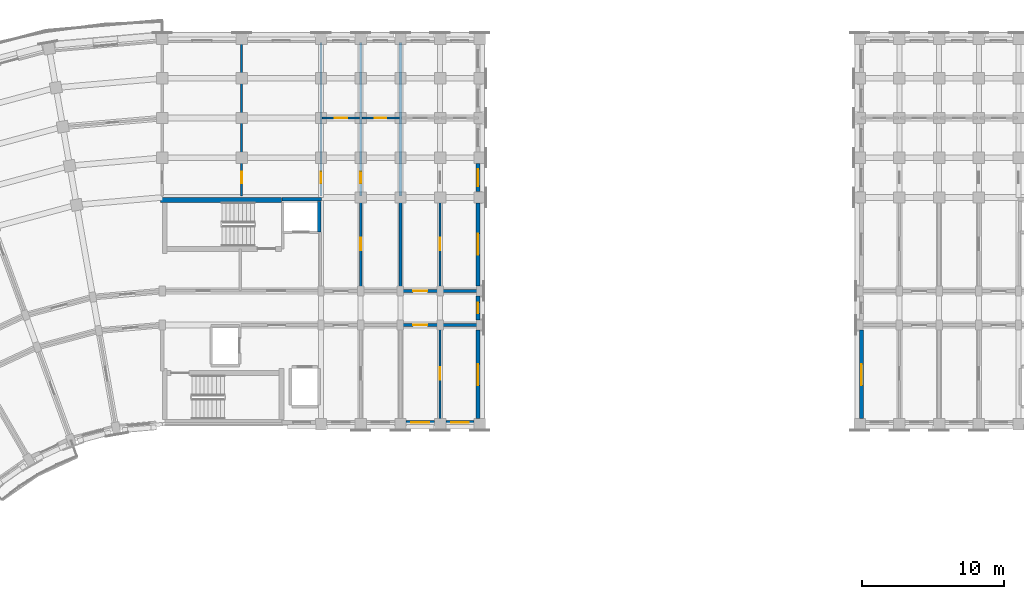
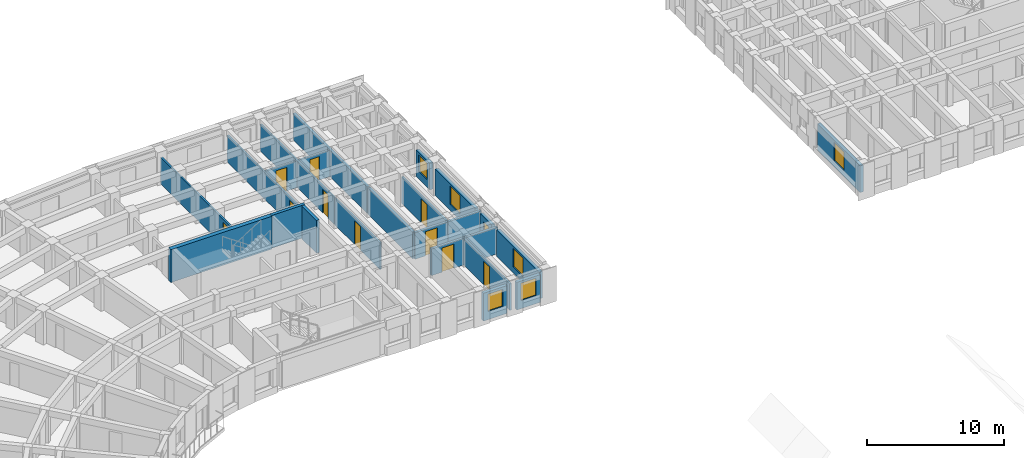
# One storey, part 27 of 54: 24 walls, 10 doors, 7 windows, 17 openings.
"""IFC4 building model written with IfcOpenShell, lengths in metres."""

import ifcopenshell
import ifcopenshell.guid

model = None  # the IFC model being written
_history = None  # IfcOwnerHistory: only IFC2X3 demands one
_inside = {}  # id of a spatial element -> (the spatial element, [elements in it])
_under = {}  # id of a project, library or spatial element -> (it, [spatial elements below it])
_declared = {}  # id of a project -> (the project, [libraries it declares])
_typed = {}  # id of a type object -> (the type object, [elements of that type])
_made_of = {}  # id of a material, layer set ... -> (it, [elements and type objects made of it])


def new_model(schema):
    """Start an empty IFC model of exactly this schema.

    Asked for "IFC4X3", IfcOpenShell would pick the latest addendum, in which some entities
    have other attributes; the version numbers below select the first issue.
    IFC2X3 requires an IfcOwnerHistory on every rooted entity: one is made here for all.
    """
    global model, _history
    if schema == "IFC4X3":
        model = ifcopenshell.file(schema_version=(4, 3, 0, 0))
    else:
        model = ifcopenshell.file(schema=schema)
    _inside.clear()
    _under.clear()
    _declared.clear()
    _typed.clear()
    _made_of.clear()
    _history = None
    if model.schema == "IFC2X3":
        org = make("IfcOrganization", Name="unknown")
        user = make(
            "IfcPersonAndOrganization",
            ThePerson=make("IfcPerson", FamilyName="unknown"),
            TheOrganization=org,
        )
        app = make(
            "IfcApplication",
            ApplicationDeveloper=org,
            Version="unknown",
            ApplicationFullName="unknown",
            ApplicationIdentifier="unknown",
        )
        _history = make(
            "IfcOwnerHistory",
            OwningUser=user,
            OwningApplication=app,
            ChangeAction="ADDED",
            CreationDate=0,
        )
    return model


def make(cls, **values):
    """One entity of the class cls with the attributes given. An attribute that is None is left unset."""
    return model.create_entity(
        cls, **{name: value for name, value in values.items() if value is not None}
    )


def rooted(cls, **values):
    """An entity with a GlobalId (a new one), such as an element, a storey or a relation."""
    return make(cls, GlobalId=ifcopenshell.guid.new(), OwnerHistory=_history, **values)


def si_unit(unit_type, name, prefix=None):
    """IfcSIUnit, for example si_unit("LENGTHUNIT", "METRE", prefix="MILLI")."""
    return make("IfcSIUnit", UnitType=unit_type, Prefix=prefix, Name=name)


def assignment(units):
    """IfcUnitAssignment: the units of a project."""
    return None if units is None else make("IfcUnitAssignment", Units=units)


def point(xyz):
    """IfcCartesianPoint."""
    return None if xyz is None else make("IfcCartesianPoint", Coordinates=xyz)


def direction(xyz):
    """IfcDirection."""
    return None if xyz is None else make("IfcDirection", DirectionRatios=xyz)


def frame(location, z_axis=None, x_axis=None):
    """IfcAxis2Placement3D, a coordinate frame: its origin and axes. An axis left out is left unset."""
    return make(
        "IfcAxis2Placement3D",
        Location=point(location),
        Axis=direction(z_axis),
        RefDirection=direction(x_axis),
    )


def frame_2d(location, x_axis=None):
    """IfcAxis2Placement2D, a coordinate frame in the plane: its origin and x axis."""
    return make(
        "IfcAxis2Placement2D", Location=point(location), RefDirection=direction(x_axis)
    )


def origin():
    """The frame at (0, 0, 0) with its axes left unset."""
    return frame((0.0, 0.0, 0.0))


def place(relative_to, where):
    """IfcLocalPlacement: puts the frame where relative to a parent placement (None: the world)."""
    return make(
        "IfcLocalPlacement", PlacementRelTo=relative_to, RelativePlacement=where
    )


def context(
    kind, dimensions, precision=None, world=None, true_north=None, identifier=None
):
    """IfcGeometricRepresentationContext, for example the 3D "Model" context."""
    return make(
        "IfcGeometricRepresentationContext",
        ContextIdentifier=identifier,
        ContextType=kind,
        CoordinateSpaceDimension=dimensions,
        Precision=precision,
        WorldCoordinateSystem=world,
        TrueNorth=true_north,
    )


def subcontext(parent, identifier, kind, view, scale=None):
    """IfcGeometricRepresentationSubContext, for example "Body" below "Model"."""
    return make(
        "IfcGeometricRepresentationSubContext",
        ContextIdentifier=identifier,
        ContextType=kind,
        ParentContext=parent,
        TargetScale=scale,
        TargetView=view,
    )


def project(units=None, contexts=None):
    """IfcProject with its units and contexts."""
    return rooted(
        "IfcProject",
        Name="project",
        RepresentationContexts=contexts,
        UnitsInContext=assignment(units),
    )


def spatial(cls, under=None, at=None, **own):
    """A site, building, storey or space (cls), placed at a placement, below another one or the project."""
    s = rooted(cls, ObjectPlacement=at, **own)
    if under is not None:
        _under.setdefault(under.id(), (under, []))[1].append(s)
    return s


def profile(cls, at=None, kind="AREA", **sizes):
    """A parametric profile (cls). Its sizes go by their IFC names, for example OverallWidth=200.0."""
    return make(cls, ProfileType=kind, Position=at, **sizes)


def rectangle(**sizes):
    """IfcRectangleProfileDef."""
    return profile("IfcRectangleProfileDef", **sizes)


def extrude(swept, where, along, depth):
    """IfcExtrudedAreaSolid: the profile swept, set in the frame where, extruded along a direction by depth."""
    return make(
        "IfcExtrudedAreaSolid",
        SweptArea=swept,
        Position=where,
        ExtrudedDirection=direction(along),
        Depth=depth,
    )


def shape(context_of_items, identifier, shape_type, items):
    """IfcShapeRepresentation: the items that make up one representation, for example the "Body"."""
    return make(
        "IfcShapeRepresentation",
        ContextOfItems=context_of_items,
        RepresentationIdentifier=identifier,
        RepresentationType=shape_type,
        Items=items,
    )


def material(Name=None, Category=None):
    """IfcMaterial."""
    return make("IfcMaterial", Name=Name, Category=Category)


def layer(
    of_material, thickness, ventilated=None, Name=None, Category=None, Priority=None
):
    """IfcMaterialLayer: one layer of a wall or slab, of a material (None: an air gap)."""
    return make(
        "IfcMaterialLayer",
        Material=of_material,
        LayerThickness=thickness,
        IsVentilated=ventilated,
        Name=Name,
        Category=Category,
        Priority=Priority,
    )


def layer_set(layers, Name=None):
    """IfcMaterialLayerSet."""
    return make("IfcMaterialLayerSet", MaterialLayers=layers, LayerSetName=Name)


def made_of(thing, what):
    """Note that an element or type object is made of a material, layer set ...; save() writes the relation."""
    if what is not None:
        _made_of.setdefault(what.id(), (what, []))[1].append(thing)
    return thing


def type_object(cls, material=None, **own):
    """A type object (cls), such as IfcWallType, which elements share."""
    return made_of(rooted(cls, **own), material)


def element(
    cls,
    number,
    at=None,
    inside=None,
    cuts=None,
    type_object=None,
    material=None,
    context=None,
    identifier="Body",
    shape_type=None,
    held_by="IfcProductDefinitionShape",
    body=None,
    shapes=None,
    **own,
):
    """One element of the class cls, such as IfcWall. Its Tag is "e" and its number.

    at: its placement. inside: the storey or other place that contains it. cuts: it is an
    opening in that element (IfcRelVoidsElement). A single representation is given by context,
    identifier, shape_type and body (its items); several are given by shapes. held_by: the class
    of the entity that holds the representations. save() writes the other relations.
    """
    e = rooted(cls, Tag="e%d" % number, ObjectPlacement=at, **own)
    if body is not None:
        shapes = [shape(context, identifier, shape_type, body)]
    if shapes is not None:
        e.Representation = make(held_by, Representations=shapes)
    if inside is not None:
        _inside.setdefault(inside.id(), (inside, []))[1].append(e)
    if cuts is not None:
        rooted(
            "IfcRelVoidsElement", RelatingBuildingElement=cuts, RelatedOpeningElement=e
        )
    if type_object is not None:
        _typed.setdefault(type_object.id(), (type_object, []))[1].append(e)
    return made_of(e, material)


def fill(opening, filler):
    """IfcRelFillsElement: the door or window that sits in an opening."""
    return rooted(
        "IfcRelFillsElement",
        RelatingOpeningElement=opening,
        RelatedBuildingElement=filler,
    )


def aggregate(whole, parts):
    """IfcRelAggregates: a whole, such as a stair, and the parts it consists of."""
    return rooted("IfcRelAggregates", RelatingObject=whole, RelatedObjects=parts)


def save(model, path):
    """Write the relations noted so far, then the file.

    IfcRelAggregates (storeys below a building ...), IfcRelContainedInSpatialStructure (elements
    in a storey), IfcRelDefinesByType, IfcRelAssociatesMaterial and IfcRelDeclares: one each for
    every whole, place, type object, material and project.
    """
    for whole, parts in _under.values():
        aggregate(whole, parts)
    for where, things in _inside.values():
        rooted(
            "IfcRelContainedInSpatialStructure",
            RelatedElements=things,
            RelatingStructure=where,
        )
    for kind, things in _typed.values():
        rooted("IfcRelDefinesByType", RelatedObjects=things, RelatingType=kind)
    for what, things in _made_of.values():
        rooted("IfcRelAssociatesMaterial", RelatedObjects=things, RelatingMaterial=what)
    for by, libraries in _declared.values():
        rooted("IfcRelDeclares", RelatingContext=by, RelatedDefinitions=libraries)
    model.write(path)


model = new_model("IFC4")

# Units and contexts
model_context = context("Model", 3, precision=1e-05, world=origin(), true_north=direction((0.0, 1.0)))
body_context = subcontext(model_context, "Body", "Model", "MODEL_VIEW")
ifc_project = project(units=[si_unit("LENGTHUNIT", "METRE"), si_unit("AREAUNIT", "SQUARE_METRE"), si_unit("VOLUMEUNIT", "CUBIC_METRE"), si_unit("PLANEANGLEUNIT", "RADIAN"), si_unit("MASSUNIT", "GRAM", prefix="KILO")], contexts=[model_context])

# Site, building, storey
site_placement = place(None, origin())
site = spatial("IfcSite", under=ifc_project, at=site_placement, CompositionType="ELEMENT")
building_placement = place(site_placement, origin())
building = spatial("IfcBuilding", under=site, at=building_placement, Name="Kiranvali Square Residences", CompositionType="ELEMENT")
storey_placement = place(building_placement, frame((0.0, 0.0, 11.85009765625)))
storey = spatial("IfcBuildingStorey", under=building, at=storey_placement, Name="L03", CompositionType="ELEMENT", Elevation=11.85009765625)

# Wall, opening, door
ifc_material_1 = material(Name="Autoclaved aerated concrete blockwork masonry", Category="masonry")
ifc_layer_1 = layer(ifc_material_1, 0.199951171875)
ifc_layer_set_1 = layer_set([ifc_layer_1], Name="Autoclaved aerated concrete blockwork masonry")
wall_type_1 = type_object("IfcWallType", Name="WL-COR-200", PredefinedType="STANDARD", material=ifc_layer_set_1)
wall_1_placement = place(storey_placement, frame((65.0, 113.60009765625, 0.0), z_axis=(0.0, 0.0, 1.0), x_axis=(1.0, 0.0, 0.0)))
wall_1 = element("IfcWall", 1, at=wall_1_placement, inside=storey, type_object=wall_type_1, Name="L03 architectural wall WL-L03-A-A1CI-2", PredefinedType="STANDARD", context=body_context, shape_type="SweptSolid", body=[
    extrude(rectangle(XDim=2.800048828125, YDim=0.199951171875, at=frame_2d((1.39990234375, 0.0))), origin(), (0.0, 0.0, 1.0), 2.371826171875),
])
opening_1_placement = place(wall_1_placement, frame((0.89990234375, 0.0, 0.0)))
opening_1 = element("IfcOpeningElement", 2, at=opening_1_placement, cuts=wall_1, Name="Opening FD-APT-60", PredefinedType="OPENING", context=body_context, shape_type="SweptSolid", body=[
    extrude(rectangle(XDim=1.0, YDim=2.14990234375, at=frame_2d((0.5, 1.074951171875))), frame((0.0, 0.10986328125, 0.0), z_axis=(0.0, -1.0, 0.0), x_axis=(1.0, 0.0, 0.0)), (0.0, 0.0, 1.0), 0.219970703125),
])
ifc_material_2 = material(Name="Fire-rated acoustic hardwood and mineral-core door assembly", Category="wood")
door_type_1 = type_object("IfcDoorType", Name="DR-APT-1000", OperationType="NOTDEFINED", PredefinedType="DOOR", material=ifc_material_2)
door_1_placement = place(opening_1_placement, frame((1.0, 0.0, 0.0), z_axis=(0.0, 0.0, 1.0), x_axis=(-1.0, 0.0, 0.0)))
door_1 = element("IfcDoor", 3, at=door_1_placement, inside=storey, type_object=door_type_1, Name="L03 door DR-L03-0230 (DR-APT-1000)", OperationType="SINGLE_SWING_RIGHT", OverallHeight=2.14990234375, OverallWidth=1.0, PredefinedType="DOOR", context=body_context, shape_type="SweptSolid", body=[
    extrude(rectangle(XDim=1.0, YDim=2.14990234375, at=frame_2d((0.5, 1.074951171875))), frame((0.0, 0.02490234375, 0.0), z_axis=(0.0, -1.0, 0.0), x_axis=(1.0, 0.0, 0.0)), (0.0, 0.0, 1.0), 0.050048828125),
])
fill(opening_1, door_1)

wall_2_placement = place(storey_placement, frame((65.0, 116.0, 0.0), z_axis=(0.0, 0.0, 1.0), x_axis=(1.0, 0.0, 0.0)))
wall_2 = element("IfcWall", 4, at=wall_2_placement, inside=storey, type_object=wall_type_1, Name="L03 architectural wall WL-L03-A-A1CO-2", PredefinedType="STANDARD", context=body_context, shape_type="SweptSolid", body=[
    extrude(rectangle(XDim=2.800048828125, YDim=0.199951171875, at=frame_2d((1.39990234375, 0.0))), origin(), (0.0, 0.0, 1.0), 2.371826171875),
])
opening_2_placement = place(wall_2_placement, frame((0.89990234375, 0.0, 0.0)))
opening_2 = element("IfcOpeningElement", 5, at=opening_2_placement, cuts=wall_2, Name="Opening FD-APT-60", PredefinedType="OPENING", context=body_context, shape_type="SweptSolid", body=[
    extrude(rectangle(XDim=1.0, YDim=2.14990234375, at=frame_2d((0.5, 1.074951171875))), frame((0.0, 0.10986328125, 0.0), z_axis=(0.0, -1.0, 0.0), x_axis=(1.0, 0.0, 0.0)), (0.0, 0.0, 1.0), 0.219970703125),
])
door_2_placement = place(opening_2_placement, frame((1.0, 0.0, 0.0), z_axis=(0.0, 0.0, 1.0), x_axis=(-1.0, 0.0, 0.0)))
door_2 = element("IfcDoor", 6, at=door_2_placement, inside=storey, type_object=door_type_1, Name="L03 door DR-L03-0232 (DR-APT-1000)", OperationType="SINGLE_SWING_RIGHT", OverallHeight=2.14990234375, OverallWidth=1.0, PredefinedType="DOOR", context=body_context, shape_type="SweptSolid", body=[
    extrude(rectangle(XDim=1.0, YDim=2.14990234375, at=frame_2d((0.5, 1.074951171875))), frame((0.0, 0.02490234375, 0.0), z_axis=(0.0, -1.0, 0.0), x_axis=(1.0, 0.0, 0.0)), (0.0, 0.0, 1.0), 0.050048828125),
])
fill(opening_2, door_2)

# Walls
for number, where, z_axis, x_axis, name in (
    (7, (67.800048828125, 113.60009765625, 0.0), (0.0, 0.0, 1.0), (1.0, 0.0, 0.0), "L03 architectural wall WL-L03-A-A1CI-3"),
    (8, (67.800048828125, 116.0, 0.0), (0.0, 0.0, 1.0), (1.0, 0.0, 0.0), "L03 architectural wall WL-L03-A-A1CO-3"),
):
    element("IfcWall", number, at=place(storey_placement, frame(where, z_axis=z_axis, x_axis=x_axis)), inside=storey, type_object=wall_type_1, Name=name, PredefinedType="STANDARD", context=body_context, shape_type="SweptSolid", body=[
        extrude(rectangle(XDim=2.800048828125, YDim=0.199951171875, at=frame_2d((1.39990234375, 0.0))), origin(), (0.0, 0.0, 1.0), 2.371826171875),
    ])
ifc_layer_2 = layer(ifc_material_1, 0.219970703125)
ifc_layer_set_2 = layer_set([ifc_layer_2], Name="Autoclaved aerated concrete blockwork masonry")
wall_type_2 = type_object("IfcWallType", Name="WL-DEM-220", PredefinedType="STANDARD", material=ifc_layer_set_2)
wall_3_placement = place(storey_placement, frame((65.0, 116.050048828125, 0.0), z_axis=(0.0, 0.0, 1.0), x_axis=(0.0, 1.0, 0.0)))
element("IfcWall", 9, at=wall_3_placement, inside=storey, type_object=wall_type_2, Name="L03 architectural wall WL-L03-A-A1TO1-2", PredefinedType="STANDARD", context=body_context, shape_type="SweptSolid", body=[
    extrude(rectangle(XDim=6.530029296875, YDim=0.219970703125, at=frame_2d((3.26513671875, 0.0))), origin(), (0.0, 0.0, 1.0), 2.371826171875),
])
wall_4_placement = place(storey_placement, frame((65.0, 122.699951171875, 0.0), z_axis=(0.0, 0.0, 1.0), x_axis=(0.0, 1.0, 0.0)))
element("IfcWall", 10, at=wall_4_placement, inside=storey, type_object=wall_type_2, Name="L03 architectural wall WL-L03-A-A1TO2-2", PredefinedType="STANDARD", context=body_context, shape_type="SweptSolid", body=[
    extrude(rectangle(XDim=10.820068359375, YDim=0.219970703125, at=frame_2d((5.41015625, 0.0))), origin(), (0.0, 0.0, 1.0), 2.371826171875),
])

# Wall, opening, window
ifc_material_3 = material(Name="Breathable lime-rendered clay brick masonry", Category="masonry")
ifc_layer_3 = layer(ifc_material_3, 0.27490234375)
ifc_layer_set_3 = layer_set([ifc_layer_3], Name="Breathable lime-rendered clay brick masonry")
wall_type_3 = type_object("IfcWallType", Name="WL-EXT-275", PredefinedType="STANDARD", material=ifc_layer_set_3)
wall_5_placement = place(storey_placement, frame((65.403564453125, 106.72509765625, 0.0), z_axis=(0.0, 0.0, 1.0), x_axis=(1.0, 0.0, 0.0)))
wall_5 = element("IfcWall", 11, at=wall_5_placement, inside=storey, type_object=wall_type_3, Name="L03 exterior wall A-L03-A1I-2", PredefinedType="STANDARD", context=body_context, shape_type="SweptSolid", body=[
    extrude(rectangle(XDim=1.992919921875, YDim=0.27490234375, at=frame_2d((0.99658203125, 0.0))), origin(), (0.0, 0.0, 1.0), 2.471923828125),
])
opening_3_placement = place(wall_5_placement, frame((0.37158203125, 0.0, 0.721923828125)))
opening_3 = element("IfcOpeningElement", 12, at=opening_3_placement, cuts=wall_5, Name="Opening W-19", PredefinedType="OPENING", context=body_context, shape_type="SweptSolid", body=[
    extrude(rectangle(XDim=1.25, YDim=1.550048828125, at=frame_2d((0.625, 0.77490234375))), frame((0.0, 0.1474609375, 0.0), z_axis=(0.0, -1.0, 0.0), x_axis=(1.0, 0.0, 0.0)), (0.0, 0.0, 1.0), 0.294921875),
])
ifc_material_4 = material(Name="Solar-control low-e double glazing", Category="glass")
window_type_1 = type_object("IfcWindowType", Name="WIN-GDN-1250x1550", PartitioningType="SINGLE_PANEL", PredefinedType="WINDOW", material=ifc_material_4)
window_1_placement = place(opening_3_placement, origin())
window_1 = element("IfcWindow", 13, at=window_1_placement, inside=storey, type_object=window_type_1, Name="L03 recessed window A-L03-A1I-2", OverallHeight=1.550048828125, OverallWidth=1.25, PartitioningType="SINGLE_PANEL", PredefinedType="WINDOW", context=body_context, shape_type="SweptSolid", body=[
    extrude(rectangle(XDim=1.25, YDim=1.550048828125, at=frame_2d((0.625, 0.77490234375))), frame((0.0, 0.030029296875, 0.0), z_axis=(0.0, -1.0, 0.0), x_axis=(1.0, 0.0, 0.0)), (0.0, 0.0, 1.0), 0.06005859375),
])
fill(opening_3, window_1)

wall_6_placement = place(storey_placement, frame((68.20361328125, 106.72509765625, 0.0), z_axis=(0.0, 0.0, 1.0), x_axis=(1.0, 0.0, 0.0)))
wall_6 = element("IfcWall", 14, at=wall_6_placement, inside=storey, type_object=wall_type_3, Name="L03 exterior wall A-L03-A1I-3", PredefinedType="STANDARD", context=body_context, shape_type="SweptSolid", body=[
    extrude(rectangle(XDim=1.992919921875, YDim=0.27490234375, at=frame_2d((0.99658203125, 0.0))), origin(), (0.0, 0.0, 1.0), 2.471923828125),
])
opening_4_placement = place(wall_6_placement, frame((0.37158203125, 0.0, 0.721923828125)))
opening_4 = element("IfcOpeningElement", 15, at=opening_4_placement, cuts=wall_6, Name="Opening W-19", PredefinedType="OPENING", context=body_context, shape_type="SweptSolid", body=[
    extrude(rectangle(XDim=1.25, YDim=1.550048828125, at=frame_2d((0.625, 0.77490234375))), frame((0.0, 0.1474609375, 0.0), z_axis=(0.0, -1.0, 0.0), x_axis=(1.0, 0.0, 0.0)), (0.0, 0.0, 1.0), 0.294921875),
])
window_2_placement = place(opening_4_placement, origin())
window_2 = element("IfcWindow", 16, at=window_2_placement, inside=storey, type_object=window_type_1, Name="L03 recessed window A-L03-A1I-3", OverallHeight=1.550048828125, OverallWidth=1.25, PartitioningType="SINGLE_PANEL", PredefinedType="WINDOW", context=body_context, shape_type="SweptSolid", body=[
    extrude(rectangle(XDim=1.25, YDim=1.550048828125, at=frame_2d((0.625, 0.77490234375))), frame((0.0, 0.030029296875, 0.0), z_axis=(0.0, -1.0, 0.0), x_axis=(1.0, 0.0, 0.0)), (0.0, 0.0, 1.0), 0.06005859375),
])
fill(opening_4, window_2)

wall_7_placement = place(storey_placement, frame((70.47509765625, 107.00341796875, 0.0), z_axis=(0.0, 0.0, 1.0), x_axis=(0.0, 1.0, 0.0)))
wall_7 = element("IfcWall", 17, at=wall_7_placement, inside=storey, type_object=wall_type_3, Name="L03 exterior wall A-L03-A1END-0", PredefinedType="STANDARD", context=body_context, shape_type="SweptSolid", body=[
    extrude(rectangle(XDim=6.2431640625, YDim=0.27490234375, at=frame_2d((3.12158203125, 0.0))), origin(), (0.0, 0.0, 1.0), 2.371826171875),
])
opening_5_placement = place(wall_7_placement, frame((2.346435546875, 0.0, 0.52197265625)))
opening_5 = element("IfcOpeningElement", 18, at=opening_5_placement, cuts=wall_7, Name="Opening W-05", PredefinedType="OPENING", context=body_context, shape_type="SweptSolid", body=[
    extrude(rectangle(XDim=1.5, YDim=1.64990234375, at=frame_2d((0.75, 0.824951171875))), frame((0.0, 0.1474609375, 0.0), z_axis=(0.0, -1.0, 0.0), x_axis=(1.0, 0.0, 0.0)), (0.0, 0.0, 1.0), 0.294921875),
])
window_type_2 = type_object("IfcWindowType", Name="WIN-RES-1500x1650", PartitioningType="DOUBLE_PANEL_VERTICAL", PredefinedType="WINDOW", material=ifc_material_4)
window_3_placement = place(opening_5_placement, origin())
window_3 = element("IfcWindow", 19, at=window_3_placement, inside=storey, type_object=window_type_2, Name="L03 recessed window A-L03-A1END-0", OverallHeight=1.64990234375, OverallWidth=1.5, PartitioningType="DOUBLE_PANEL_VERTICAL", PredefinedType="WINDOW", context=body_context, shape_type="SweptSolid", body=[
    extrude(rectangle(XDim=1.5, YDim=1.64990234375, at=frame_2d((0.75, 0.824951171875))), frame((0.0, 0.030029296875, 0.0), z_axis=(0.0, -1.0, 0.0), x_axis=(1.0, 0.0, 0.0)), (0.0, 0.0, 1.0), 0.06005859375),
])
fill(opening_5, window_3)

wall_8_placement = place(storey_placement, frame((70.47509765625, 113.95361328125, 0.0), z_axis=(0.0, 0.0, 1.0), x_axis=(0.0, 1.0, 0.0)))
wall_8 = element("IfcWall", 20, at=wall_8_placement, inside=storey, type_object=wall_type_3, Name="L03 exterior wall A-L03-A1END-1", PredefinedType="STANDARD", context=body_context, shape_type="SweptSolid", body=[
    extrude(rectangle(XDim=1.69287109375, YDim=0.27490234375, at=frame_2d((0.846435546875, 0.0))), origin(), (0.0, 0.0, 1.0), 2.371826171875),
])
opening_6_placement = place(wall_8_placement, frame((0.471435546875, 0.0, 0.8798828125)))
opening_6 = element("IfcOpeningElement", 21, at=opening_6_placement, cuts=wall_8, Name="Opening W-07", PredefinedType="OPENING", context=body_context, shape_type="SweptSolid", body=[
    extrude(rectangle(XDim=0.75, YDim=1.050048828125, at=frame_2d((0.375, 0.52490234375))), frame((0.0, 0.1474609375, 0.0), z_axis=(0.0, -1.0, 0.0), x_axis=(1.0, 0.0, 0.0)), (0.0, 0.0, 1.0), 0.294921875),
])
window_type_3 = type_object("IfcWindowType", Name="WIN-WET-750x1050", PartitioningType="SINGLE_PANEL", PredefinedType="WINDOW", material=ifc_material_4)
window_4_placement = place(opening_6_placement, origin())
window_4 = element("IfcWindow", 22, at=window_4_placement, inside=storey, type_object=window_type_3, Name="L03 recessed window A-L03-A1END-1", OverallHeight=1.050048828125, OverallWidth=0.75, PartitioningType="SINGLE_PANEL", PredefinedType="WINDOW", context=body_context, shape_type="SweptSolid", body=[
    extrude(rectangle(XDim=0.75, YDim=1.050048828125, at=frame_2d((0.375, 0.52490234375))), frame((0.0, 0.030029296875, 0.0), z_axis=(0.0, -1.0, 0.0), x_axis=(1.0, 0.0, 0.0)), (0.0, 0.0, 1.0), 0.06005859375),
])
fill(opening_6, window_4)

wall_9_placement = place(storey_placement, frame((70.47509765625, 116.353515625, 0.0), z_axis=(0.0, 0.0, 1.0), x_axis=(0.0, 1.0, 0.0)))
wall_9 = element("IfcWall", 23, at=wall_9_placement, inside=storey, type_object=wall_type_3, Name="L03 exterior wall A-L03-A1END-2", PredefinedType="STANDARD", context=body_context, shape_type="SweptSolid", body=[
    extrude(rectangle(XDim=5.843017578125, YDim=0.27490234375, at=frame_2d((2.92138671875, 0.0))), origin(), (0.0, 0.0, 1.0), 2.371826171875),
])
opening_7_placement = place(wall_9_placement, frame((2.196533203125, 0.0, 0.52197265625)))
opening_7 = element("IfcOpeningElement", 24, at=opening_7_placement, cuts=wall_9, Name="Opening W-05", PredefinedType="OPENING", context=body_context, shape_type="SweptSolid", body=[
    extrude(rectangle(XDim=1.5, YDim=1.64990234375, at=frame_2d((0.75, 0.824951171875))), frame((0.0, 0.1474609375, 0.0), z_axis=(0.0, -1.0, 0.0), x_axis=(1.0, 0.0, 0.0)), (0.0, 0.0, 1.0), 0.294921875),
])
window_5_placement = place(opening_7_placement, origin())
window_5 = element("IfcWindow", 25, at=window_5_placement, inside=storey, type_object=window_type_2, Name="L03 recessed window A-L03-A1END-2", OverallHeight=1.64990234375, OverallWidth=1.5, PartitioningType="DOUBLE_PANEL_VERTICAL", PredefinedType="WINDOW", context=body_context, shape_type="SweptSolid", body=[
    extrude(rectangle(XDim=1.5, YDim=1.64990234375, at=frame_2d((0.75, 0.824951171875))), frame((0.0, 0.030029296875, 0.0), z_axis=(0.0, -1.0, 0.0), x_axis=(1.0, 0.0, 0.0)), (0.0, 0.0, 1.0), 0.06005859375),
])
fill(opening_7, window_5)

wall_10_placement = place(storey_placement, frame((70.47509765625, 123.00341796875, 0.0), z_axis=(0.0, 0.0, 1.0), x_axis=(0.0, 1.0, 0.0)))
wall_10 = element("IfcWall", 26, at=wall_10_placement, inside=storey, type_object=wall_type_3, Name="L03 exterior wall A-L03-A1END-3", PredefinedType="STANDARD", context=body_context, shape_type="SweptSolid", body=[
    extrude(rectangle(XDim=1.9931640625, YDim=0.27490234375, at=frame_2d((0.99658203125, 0.0))), origin(), (0.0, 0.0, 1.0), 2.371826171875),
])
opening_8_placement = place(wall_10_placement, frame((0.396484375, 0.0, 0.672119140625)))
opening_8 = element("IfcOpeningElement", 27, at=opening_8_placement, cuts=wall_10, Name="Opening W-06", PredefinedType="OPENING", context=body_context, shape_type="SweptSolid", body=[
    extrude(rectangle(XDim=1.199951171875, YDim=1.5, at=frame_2d((0.60009765625, 0.75))), frame((0.0, 0.1474609375, 0.0), z_axis=(0.0, -1.0, 0.0), x_axis=(1.0, 0.0, 0.0)), (0.0, 0.0, 1.0), 0.294921875),
])
window_type_4 = type_object("IfcWindowType", Name="WIN-RES-1200x1500", PartitioningType="SINGLE_PANEL", PredefinedType="WINDOW", material=ifc_material_4)
window_6_placement = place(opening_8_placement, origin())
window_6 = element("IfcWindow", 28, at=window_6_placement, inside=storey, type_object=window_type_4, Name="L03 recessed window A-L03-A1END-3", OverallHeight=1.5, OverallWidth=1.199951171875, PartitioningType="SINGLE_PANEL", PredefinedType="WINDOW", context=body_context, shape_type="SweptSolid", body=[
    extrude(rectangle(XDim=1.199951171875, YDim=1.5, at=frame_2d((0.60009765625, 0.75))), frame((0.0, 0.030029296875, 0.0), z_axis=(0.0, -1.0, 0.0), x_axis=(1.0, 0.0, 0.0)), (0.0, 0.0, 1.0), 0.06005859375),
])
fill(opening_8, window_6)

wall_11_placement = place(storey_placement, frame((97.52490234375, 107.00341796875, 0.0), z_axis=(0.0, 0.0, 1.0), x_axis=(0.0, 1.0, 0.0)))
wall_11 = element("IfcWall", 29, at=wall_11_placement, inside=storey, type_object=wall_type_3, Name="L03 exterior wall B-L03-A1END-0", PredefinedType="STANDARD", context=body_context, shape_type="SweptSolid", body=[
    extrude(rectangle(XDim=6.2431640625, YDim=0.27490234375, at=frame_2d((3.12158203125, 0.0))), origin(), (0.0, 0.0, 1.0), 2.371826171875),
])
opening_9_placement = place(wall_11_placement, frame((2.346435546875, 0.0, 0.52197265625)))
opening_9 = element("IfcOpeningElement", 30, at=opening_9_placement, cuts=wall_11, Name="Opening W-05", PredefinedType="OPENING", context=body_context, shape_type="SweptSolid", body=[
    extrude(rectangle(XDim=1.5, YDim=1.64990234375, at=frame_2d((0.75, 0.824951171875))), frame((0.0, 0.1474609375, 0.0), z_axis=(0.0, -1.0, 0.0), x_axis=(1.0, 0.0, 0.0)), (0.0, 0.0, 1.0), 0.294921875),
])
window_7_placement = place(opening_9_placement, origin())
window_7 = element("IfcWindow", 31, at=window_7_placement, inside=storey, type_object=window_type_2, Name="L03 recessed window B-L03-A1END-0", OverallHeight=1.64990234375, OverallWidth=1.5, PartitioningType="DOUBLE_PANEL_VERTICAL", PredefinedType="WINDOW", context=body_context, shape_type="SweptSolid", body=[
    extrude(rectangle(XDim=1.5, YDim=1.64990234375, at=frame_2d((0.75, 0.824951171875))), frame((0.0, 0.030029296875, 0.0), z_axis=(0.0, -1.0, 0.0), x_axis=(1.0, 0.0, 0.0)), (0.0, 0.0, 1.0), 0.06005859375),
])
fill(opening_9, window_7)

# Wall, opening, door
ifc_material_5 = material(Name="Acoustic gypsum board drylined partition", Category="gypsum")
ifc_layer_4 = layer(ifc_material_5, 0.14990234375)
ifc_layer_set_4 = layer_set([ifc_layer_4], Name="Acoustic gypsum board drylined partition")
wall_type_4 = type_object("IfcWallType", Name="WL-PRT-150", PredefinedType="PARTITIONING", material=ifc_layer_set_4)
wall_12_placement = place(storey_placement, frame((53.800048828125, 122.699951171875, 0.0), z_axis=(0.0, 0.0, 1.0), x_axis=(0.0, 1.0, 0.0)))
wall_12 = element("IfcWall", 32, at=wall_12_placement, inside=storey, type_object=wall_type_4, Name="L03 architectural wall WL-L03-A-CF-MID", PredefinedType="PARTITIONING", context=body_context, shape_type="SweptSolid", body=[
    extrude(rectangle(XDim=10.820068359375, YDim=0.14990234375, at=frame_2d((5.41015625, 0.0))), origin(), (0.0, 0.0, 1.0), 2.371826171875),
])
opening_10_placement = place(wall_12_placement, frame((0.8994140625, 0.0, 0.0)))
opening_10 = element("IfcOpeningElement", 33, at=opening_10_placement, cuts=wall_12, Name="Opening ID-WET", PredefinedType="OPENING", context=body_context, shape_type="SweptSolid", body=[
    extrude(rectangle(XDim=0.800048828125, YDim=2.10009765625, at=frame_2d((0.39990234375, 1.050048828125))), frame((0.0, 0.0849609375, 0.0), z_axis=(0.0, -1.0, 0.0), x_axis=(1.0, 0.0, 0.0)), (0.0, 0.0, 1.0), 0.169921875),
])
ifc_material_6 = material(Name="Solid seasoned teak hardwood joinery", Category="wood")
door_type_2 = type_object("IfcDoorType", Name="DR-WET-800", OperationType="NOTDEFINED", PredefinedType="DOOR", material=ifc_material_6)
door_3_placement = place(opening_10_placement, origin())
door_3 = element("IfcDoor", 34, at=door_3_placement, inside=storey, type_object=door_type_2, Name="L03 door DR-L03-0225 (DR-WET-800)", OperationType="SINGLE_SWING_LEFT", OverallHeight=2.10009765625, OverallWidth=0.800048828125, PredefinedType="DOOR", context=body_context, shape_type="SweptSolid", body=[
    extrude(rectangle(XDim=0.800048828125, YDim=2.10009765625, at=frame_2d((0.39990234375, 1.050048828125))), frame((0.0, 0.02490234375, 0.0), z_axis=(0.0, -1.0, 0.0), x_axis=(1.0, 0.0, 0.0)), (0.0, 0.0, 1.0), 0.050048828125),
])
fill(opening_10, door_3)

wall_13_placement = place(storey_placement, frame((59.39990234375, 122.699951171875, 0.0), z_axis=(0.0, 0.0, 1.0), x_axis=(0.0, 1.0, 0.0)))
wall_13 = element("IfcWall", 35, at=wall_13_placement, inside=storey, type_object=wall_type_4, Name="L03 architectural wall WL-L03-A-A1TO2-0", PredefinedType="PARTITIONING", context=body_context, shape_type="SweptSolid", body=[
    extrude(rectangle(XDim=10.820068359375, YDim=0.14990234375, at=frame_2d((5.41015625, 0.0))), origin(), (0.0, 0.0, 1.0), 2.371826171875),
])
opening_11_placement = place(wall_13_placement, frame((0.8994140625, 0.0, 0.0)))
opening_11 = element("IfcOpeningElement", 36, at=opening_11_placement, cuts=wall_13, Name="Opening ID-WET", PredefinedType="OPENING", context=body_context, shape_type="SweptSolid", body=[
    extrude(rectangle(XDim=0.800048828125, YDim=2.10009765625, at=frame_2d((0.39990234375, 1.050048828125))), frame((0.0, 0.0849609375, 0.0), z_axis=(0.0, -1.0, 0.0), x_axis=(1.0, 0.0, 0.0)), (0.0, 0.0, 1.0), 0.169921875),
])
door_4_placement = place(opening_11_placement, frame((0.800048828125, 0.0, 0.0), z_axis=(0.0, 0.0, 1.0), x_axis=(-1.0, 0.0, 0.0)))
door_4 = element("IfcDoor", 37, at=door_4_placement, inside=storey, type_object=door_type_2, Name="L03 door DR-L03-0234 (DR-WET-800)", OperationType="SINGLE_SWING_RIGHT", OverallHeight=2.10009765625, OverallWidth=0.800048828125, PredefinedType="DOOR", context=body_context, shape_type="SweptSolid", body=[
    extrude(rectangle(XDim=0.800048828125, YDim=2.10009765625, at=frame_2d((0.39990234375, 1.050048828125))), frame((0.0, 0.02490234375, 0.0), z_axis=(0.0, -1.0, 0.0), x_axis=(1.0, 0.0, 0.0)), (0.0, 0.0, 1.0), 0.050048828125),
])
fill(opening_11, door_4)

wall_14_placement = place(storey_placement, frame((62.199951171875, 116.050048828125, 0.0), z_axis=(0.0, 0.0, 1.0), x_axis=(0.0, 1.0, 0.0)))
wall_14 = element("IfcWall", 38, at=wall_14_placement, inside=storey, type_object=wall_type_4, Name="L03 architectural wall WL-L03-A-A1TO1-1", PredefinedType="PARTITIONING", context=body_context, shape_type="SweptSolid", body=[
    extrude(rectangle(XDim=6.530029296875, YDim=0.14990234375, at=frame_2d((3.26513671875, 0.0))), origin(), (0.0, 0.0, 1.0), 2.371826171875),
])
opening_12_placement = place(wall_14_placement, frame((2.81494140625, 0.0, 0.0)))
opening_12 = element("IfcOpeningElement", 39, at=opening_12_placement, cuts=wall_14, Name="Opening ID-1", PredefinedType="OPENING", context=body_context, shape_type="SweptSolid", body=[
    extrude(rectangle(XDim=0.89990234375, YDim=2.10009765625, at=frame_2d((0.449951171875, 1.050048828125))), frame((0.0, 0.0849609375, 0.0), z_axis=(0.0, -1.0, 0.0), x_axis=(1.0, 0.0, 0.0)), (0.0, 0.0, 1.0), 0.169921875),
])
door_type_3 = type_object("IfcDoorType", Name="DR-INT-900", OperationType="NOTDEFINED", PredefinedType="DOOR", material=ifc_material_6)
door_5_placement = place(opening_12_placement, frame((0.89990234375, 0.0, 0.0), z_axis=(0.0, 0.0, 1.0), x_axis=(-1.0, 0.0, 0.0)))
door_5 = element("IfcDoor", 40, at=door_5_placement, inside=storey, type_object=door_type_3, Name="L03 door DR-L03-0236 (DR-INT-900)", OperationType="SINGLE_SWING_RIGHT", OverallHeight=2.10009765625, OverallWidth=0.89990234375, PredefinedType="DOOR", context=body_context, shape_type="SweptSolid", body=[
    extrude(rectangle(XDim=0.89990234375, YDim=2.10009765625, at=frame_2d((0.449951171875, 1.050048828125))), frame((0.0, 0.02490234375, 0.0), z_axis=(0.0, -1.0, 0.0), x_axis=(1.0, 0.0, 0.0)), (0.0, 0.0, 1.0), 0.050048828125),
])
fill(opening_12, door_5)

wall_15_placement = place(storey_placement, frame((62.199951171875, 122.699951171875, 0.0), z_axis=(0.0, 0.0, 1.0), x_axis=(0.0, 1.0, 0.0)))
wall_15 = element("IfcWall", 41, at=wall_15_placement, inside=storey, type_object=wall_type_4, Name="L03 architectural wall WL-L03-A-A1TO2-1", PredefinedType="PARTITIONING", context=body_context, shape_type="SweptSolid", body=[
    extrude(rectangle(XDim=10.820068359375, YDim=0.14990234375, at=frame_2d((5.41015625, 0.0))), origin(), (0.0, 0.0, 1.0), 2.371826171875),
])
opening_13_placement = place(wall_15_placement, frame((0.8994140625, 0.0, 0.0)))
opening_13 = element("IfcOpeningElement", 42, at=opening_13_placement, cuts=wall_15, Name="Opening ID-WET", PredefinedType="OPENING", context=body_context, shape_type="SweptSolid", body=[
    extrude(rectangle(XDim=0.800048828125, YDim=2.10009765625, at=frame_2d((0.39990234375, 1.050048828125))), frame((0.0, 0.0849609375, 0.0), z_axis=(0.0, -1.0, 0.0), x_axis=(1.0, 0.0, 0.0)), (0.0, 0.0, 1.0), 0.169921875),
])
door_6_placement = place(opening_13_placement, origin())
door_6 = element("IfcDoor", 43, at=door_6_placement, inside=storey, type_object=door_type_2, Name="L03 door DR-L03-0237 (DR-WET-800)", OperationType="SINGLE_SWING_LEFT", OverallHeight=2.10009765625, OverallWidth=0.800048828125, PredefinedType="DOOR", context=body_context, shape_type="SweptSolid", body=[
    extrude(rectangle(XDim=0.800048828125, YDim=2.10009765625, at=frame_2d((0.39990234375, 1.050048828125))), frame((0.0, 0.02490234375, 0.0), z_axis=(0.0, -1.0, 0.0), x_axis=(1.0, 0.0, 0.0)), (0.0, 0.0, 1.0), 0.050048828125),
])
fill(opening_13, door_6)

wall_16_placement = place(storey_placement, frame((67.800048828125, 106.800048828125, 0.0), z_axis=(0.0, 0.0, 1.0), x_axis=(0.0, 1.0, 0.0)))
wall_16 = element("IfcWall", 44, at=wall_16_placement, inside=storey, type_object=wall_type_4, Name="L03 architectural wall WL-L03-A-A1TI-3", PredefinedType="PARTITIONING", context=body_context, shape_type="SweptSolid", body=[
    extrude(rectangle(XDim=6.75, YDim=0.14990234375, at=frame_2d((3.375, 0.0))), origin(), (0.0, 0.0, 1.0), 2.371826171875),
])
opening_14_placement = place(wall_16_placement, frame((2.925048828125, 0.0, 0.0)))
opening_14 = element("IfcOpeningElement", 45, at=opening_14_placement, cuts=wall_16, Name="Opening ID-1", PredefinedType="OPENING", context=body_context, shape_type="SweptSolid", body=[
    extrude(rectangle(XDim=0.89990234375, YDim=2.10009765625, at=frame_2d((0.449951171875, 1.050048828125))), frame((0.0, 0.0849609375, 0.0), z_axis=(0.0, -1.0, 0.0), x_axis=(1.0, 0.0, 0.0)), (0.0, 0.0, 1.0), 0.169921875),
])
door_7_placement = place(opening_14_placement, frame((0.89990234375, 0.0, 0.0), z_axis=(0.0, 0.0, 1.0), x_axis=(-1.0, 0.0, 0.0)))
door_7 = element("IfcDoor", 46, at=door_7_placement, inside=storey, type_object=door_type_3, Name="L03 door DR-L03-0238 (DR-INT-900)", OperationType="SINGLE_SWING_RIGHT", OverallHeight=2.10009765625, OverallWidth=0.89990234375, PredefinedType="DOOR", context=body_context, shape_type="SweptSolid", body=[
    extrude(rectangle(XDim=0.89990234375, YDim=2.10009765625, at=frame_2d((0.449951171875, 1.050048828125))), frame((0.0, 0.02490234375, 0.0), z_axis=(0.0, -1.0, 0.0), x_axis=(1.0, 0.0, 0.0)), (0.0, 0.0, 1.0), 0.050048828125),
])
fill(opening_14, door_7)

wall_17_placement = place(storey_placement, frame((67.800048828125, 116.050048828125, 0.0), z_axis=(0.0, 0.0, 1.0), x_axis=(0.0, 1.0, 0.0)))
wall_17 = element("IfcWall", 47, at=wall_17_placement, inside=storey, type_object=wall_type_4, Name="L03 architectural wall WL-L03-A-A1TO1-3", PredefinedType="PARTITIONING", context=body_context, shape_type="SweptSolid", body=[
    extrude(rectangle(XDim=6.530029296875, YDim=0.14990234375, at=frame_2d((3.26513671875, 0.0))), origin(), (0.0, 0.0, 1.0), 2.371826171875),
])
opening_15_placement = place(wall_17_placement, frame((2.81494140625, 0.0, 0.0)))
opening_15 = element("IfcOpeningElement", 48, at=opening_15_placement, cuts=wall_17, Name="Opening ID-1", PredefinedType="OPENING", context=body_context, shape_type="SweptSolid", body=[
    extrude(rectangle(XDim=0.89990234375, YDim=2.10009765625, at=frame_2d((0.449951171875, 1.050048828125))), frame((0.0, 0.0849609375, 0.0), z_axis=(0.0, -1.0, 0.0), x_axis=(1.0, 0.0, 0.0)), (0.0, 0.0, 1.0), 0.169921875),
])
door_8_placement = place(opening_15_placement, origin())
door_8 = element("IfcDoor", 49, at=door_8_placement, inside=storey, type_object=door_type_3, Name="L03 door DR-L03-0239 (DR-INT-900)", OperationType="SINGLE_SWING_LEFT", OverallHeight=2.10009765625, OverallWidth=0.89990234375, PredefinedType="DOOR", context=body_context, shape_type="SweptSolid", body=[
    extrude(rectangle(XDim=0.89990234375, YDim=2.10009765625, at=frame_2d((0.449951171875, 1.050048828125))), frame((0.0, 0.02490234375, 0.0), z_axis=(0.0, -1.0, 0.0), x_axis=(1.0, 0.0, 0.0)), (0.0, 0.0, 1.0), 0.050048828125),
])
fill(opening_15, door_8)

# Walls
ifc_material_7 = material(Name="Concrete M45 (45 MPa)", Category="concrete")
ifc_layer_5 = layer(ifc_material_7, 0.25)
ifc_layer_set_5 = layer_set([ifc_layer_5], Name="Concrete M45 (45 MPa)")
wall_type_5 = type_object("IfcWallType", Name="WL-SHR-250", PredefinedType="SHEAR", material=ifc_layer_set_5)
wall_18_placement = place(storey_placement, frame((56.64990234375, 122.47509765625, 0.0), z_axis=(0.0, 0.0, 1.0), x_axis=(1.0, 0.0, 0.0)))
element("IfcWall", 50, at=wall_18_placement, inside=storey, type_object=wall_type_5, Name="Block A core shear wall SW-AFF-BK-L03", PredefinedType="SHEAR", context=body_context, shape_type="SweptSolid", body=[
    extrude(rectangle(XDim=2.800048828125, YDim=0.25, at=frame_2d((1.39990234375, 0.0))), origin(), (0.0, 0.0, 1.0), 2.929931640625),
])
wall_19_placement = place(storey_placement, frame((59.27490234375, 120.14990234375, 0.0), z_axis=(0.0, 0.0, 1.0), x_axis=(0.0, 1.0, 0.0)))
element("IfcWall", 51, at=wall_19_placement, inside=storey, type_object=wall_type_5, Name="Block A core shear wall SW-AFF-SD-L03", PredefinedType="SHEAR", context=body_context, shape_type="SweptSolid", body=[
    extrude(rectangle(XDim=2.150146484375, YDim=0.25, at=frame_2d((1.0751953125, 0.0))), origin(), (0.0, 0.0, 1.0), 2.929931640625),
])
ifc_material_8 = material(Name="Concrete M50 (50 MPa)", Category="concrete")
ifc_layer_6 = layer(ifc_material_8, 0.35009765625)
ifc_layer_set_6 = layer_set([ifc_layer_6], Name="Concrete M50 (50 MPa)")
wall_type_6 = type_object("IfcWallType", Name="WL-SHR-350", PredefinedType="SHEAR", material=ifc_layer_set_6)
wall_20_placement = place(storey_placement, frame((48.080078125, 122.425048828125, 0.0), z_axis=(0.0, 0.0, 1.0), x_axis=(1.0, 0.0, 0.0)))
element("IfcWall", 52, at=wall_20_placement, inside=storey, type_object=wall_type_6, Name="Block A core shear wall SW-A1-OUT-L03", PredefinedType="SHEAR", context=body_context, shape_type="SweptSolid", body=[
    extrude(rectangle(XDim=8.544921875, YDim=0.35009765625, at=frame_2d((4.2724609375, 0.0))), origin(), (0.0, 0.0, 1.0), 2.929931640625),
])

# Wall, opening, door
ifc_layer_7 = layer(ifc_material_1, 0.159912109375)
ifc_layer_set_7 = layer_set([ifc_layer_7], Name="Autoclaved aerated concrete blockwork masonry")
wall_type_7 = type_object("IfcWallType", Name="WL-WET-160", PredefinedType="PLUMBINGWALL", material=ifc_layer_set_7)
wall_21_placement = place(storey_placement, frame((59.47998046875, 128.199951171875, 0.0), z_axis=(0.0, 0.0, 1.0), x_axis=(1.0, 0.0, 0.0)))
wall_21 = element("IfcWall", 53, at=wall_21_placement, inside=storey, type_object=wall_type_7, Name="L03 architectural wall WL-L03-A-A1SP-0", PredefinedType="PLUMBINGWALL", context=body_context, shape_type="SweptSolid", body=[
    extrude(rectangle(XDim=2.64013671875, YDim=0.159912109375, at=frame_2d((1.320068359375, 0.0))), origin(), (0.0, 0.0, 1.0), 2.371826171875),
])
opening_16_placement = place(wall_21_placement, frame((0.8701171875, 0.0, 0.0)))
opening_16 = element("IfcOpeningElement", 54, at=opening_16_placement, cuts=wall_21, Name="Opening ID-1", PredefinedType="OPENING", context=body_context, shape_type="SweptSolid", body=[
    extrude(rectangle(XDim=0.89990234375, YDim=2.10009765625, at=frame_2d((0.449951171875, 1.050048828125))), frame((0.0, 0.08984375, 0.0), z_axis=(0.0, -1.0, 0.0), x_axis=(1.0, 0.0, 0.0)), (0.0, 0.0, 1.0), 0.179931640625),
])
door_9_placement = place(opening_16_placement, origin())
door_9 = element("IfcDoor", 55, at=door_9_placement, inside=storey, type_object=door_type_3, Name="L03 door DR-L03-0227 (DR-INT-900)", OperationType="SINGLE_SWING_LEFT", OverallHeight=2.10009765625, OverallWidth=0.89990234375, PredefinedType="DOOR", context=body_context, shape_type="SweptSolid", body=[
    extrude(rectangle(XDim=0.89990234375, YDim=2.10009765625, at=frame_2d((0.449951171875, 1.050048828125))), frame((0.0, 0.02490234375, 0.0), z_axis=(0.0, -1.0, 0.0), x_axis=(1.0, 0.0, 0.0)), (0.0, 0.0, 1.0), 0.050048828125),
])
fill(opening_16, door_9)

wall_22_placement = place(storey_placement, frame((62.280029296875, 128.199951171875, 0.0), z_axis=(0.0, 0.0, 1.0), x_axis=(1.0, 0.0, 0.0)))
wall_22 = element("IfcWall", 56, at=wall_22_placement, inside=storey, type_object=wall_type_7, Name="L03 architectural wall WL-L03-A-A1SP-1", PredefinedType="PLUMBINGWALL", context=body_context, shape_type="SweptSolid", body=[
    extrude(rectangle(XDim=2.639892578125, YDim=0.159912109375, at=frame_2d((1.31982421875, 0.0))), origin(), (0.0, 0.0, 1.0), 2.371826171875),
])
opening_17_placement = place(wall_22_placement, frame((0.919921875, 0.0, 0.0)))
opening_17 = element("IfcOpeningElement", 57, at=opening_17_placement, cuts=wall_22, Name="Opening ID-WET", PredefinedType="OPENING", context=body_context, shape_type="SweptSolid", body=[
    extrude(rectangle(XDim=0.800048828125, YDim=2.10009765625, at=frame_2d((0.39990234375, 1.050048828125))), frame((0.0, 0.08984375, 0.0), z_axis=(0.0, -1.0, 0.0), x_axis=(1.0, 0.0, 0.0)), (0.0, 0.0, 1.0), 0.179931640625),
])
door_10_placement = place(opening_17_placement, origin())
door_10 = element("IfcDoor", 58, at=door_10_placement, inside=storey, type_object=door_type_2, Name="L03 door DR-L03-0229 (DR-WET-800)", OperationType="SINGLE_SWING_LEFT", OverallHeight=2.10009765625, OverallWidth=0.800048828125, PredefinedType="DOOR", context=body_context, shape_type="SweptSolid", body=[
    extrude(rectangle(XDim=0.800048828125, YDim=2.10009765625, at=frame_2d((0.39990234375, 1.050048828125))), frame((0.0, 0.02490234375, 0.0), z_axis=(0.0, -1.0, 0.0), x_axis=(1.0, 0.0, 0.0)), (0.0, 0.0, 1.0), 0.050048828125),
])
fill(opening_17, door_10)

save(model, "model.ifc")
